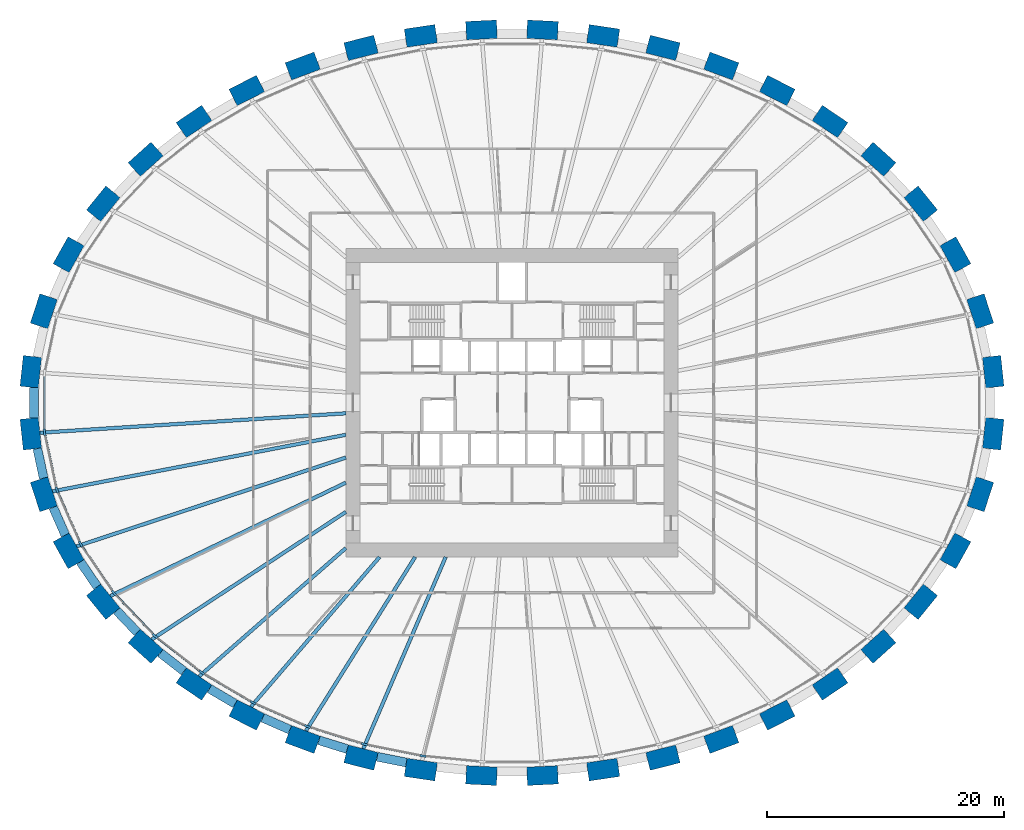
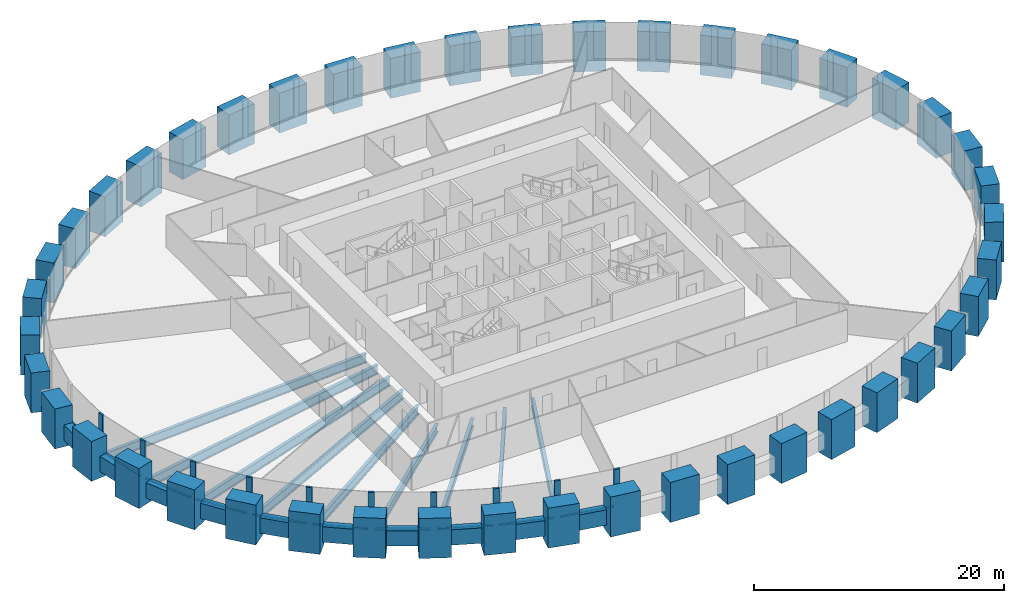
# One storey, part 1 of 11: 44 columns, 20 members, 19 beams, 1 element without a shape of its own.
"""IFC4 building model written with IfcOpenShell, lengths in metres."""

from ifc_helpers import new_model, si_unit, direction, frame, origin, origin_2d, place, context, subcontext, project, spatial, rectangle, i_section, extrude, source, transform, mapped, material, material_profile, profile_set, type_object, element, aggregate, save


model = new_model("IFC4")

# Units and contexts
model_context = context("Model", 3, precision=1e-05, world=origin(), true_north=direction((0.0, 1.0)))
body_context = subcontext(model_context, "Body", "Model", "MODEL_VIEW")
ifc_project = project(units=[si_unit("LENGTHUNIT", "METRE"), si_unit("AREAUNIT", "SQUARE_METRE"), si_unit("VOLUMEUNIT", "CUBIC_METRE"), si_unit("PLANEANGLEUNIT", "RADIAN"), si_unit("MASSUNIT", "GRAM", prefix="KILO")], contexts=[model_context])

# Site, building, storey
site_placement = place(None, origin())
site = spatial("IfcSite", under=ifc_project, at=site_placement, CompositionType="ELEMENT")
building_placement = place(site_placement, origin())
building = spatial("IfcBuilding", under=site, at=building_placement, Name="Embergate Tower", CompositionType="ELEMENT")
storey_placement = place(building_placement, frame((0.0, 0.0, 58.10009765625)))
storey = spatial("IfcBuildingStorey", under=building, at=storey_placement, Name="L10", CompositionType="ELEMENT", Elevation=58.10009765625)

# Columns
ifc_material_1 = material(Name="Concrete C70", Category="concrete")
ifc_material_profile_1 = material_profile(ifc_material_1, rectangle(XDim=1.550048828125, YDim=2.60009765625, at=origin_2d()), Name="RC 1550x2600")
ifc_profile_set_1 = profile_set([ifc_material_profile_1], Name="Concrete C70")
column_type = type_object("IfcColumnType", Name="Ring column RC 1550x2600 C70", PredefinedType="COLUMN", material=ifc_profile_set_1)
shared_shape_1 = source(origin(), body_context, "Body", "SweptSolid", [
    extrude(rectangle(XDim=1.550048828125, YDim=2.60009765625, at=origin_2d()), origin(), (0.0, 0.0, 1.0), 3.900146484375),
])
for number, where, z_axis, x_axis, name in (
    (1, (40.552001953125, 2.610107421875, -1.400146484375), (0.0, 0.0, 1.0), (0.99428589498, 0.106749983816, 0.0), "COL-L10-00"),
    (2, (39.455078125, 7.708984375, -1.400146484375), (0.0, 0.0, 1.0), (0.950754033697, 0.309946394413, 0.0), "COL-L10-01"),
    (3, (37.364013671875, 12.47705078125, -1.400146484375), (0.0, 0.0, 1.0), (0.873500465855, 0.486823311018, 0.0), "COL-L10-02"),
    (4, (34.445068359375, 16.77001953125, -1.400146484375), (0.0, 0.0, 1.0), (0.775925311702, 0.630824786022, 0.0), "COL-L10-03"),
    (5, (30.87109375, 20.51806640625, -1.400146484375), (0.0, 0.0, 1.0), (0.669221393633, 0.743063070206, 0.0), "COL-L10-04"),
    (6, (26.798095703125, 23.697998046875, -1.400146484375), (0.0, 0.0, 1.0), (0.560407734638, 0.828216862275, 0.0), "COL-L10-05"),
    (7, (22.35205078125, 26.31201171875, -1.400146484375), (0.0, 0.0, 1.0), (0.453010512651, 0.891505174089, 0.0), "COL-L10-06"),
    (8, (17.634033203125, 28.375, -1.400146484375), (0.0, 0.0, 1.0), (0.348343015724, 0.93736713373, 0.0), "COL-L10-07"),
    (9, (12.721923828125, 29.905029296875, -1.400146484375), (0.0, 0.0, 1.0), (0.24650851817, 0.969140624713, 0.0), "COL-L10-08"),
    (10, (7.681884765625, 30.916015625, -1.400146484375), (0.0, 0.0, 1.0), (0.146929011949, 0.989147039346, 0.0), "COL-L10-09"),
    (11, (2.569091796875, 31.41796875, -1.400146484375), (0.0, 0.0, 1.0), (0.048814904854, 0.998807841912, 0.0), "COL-L10-10"),
    (12, (-2.569091796875, 31.41796875, -1.400146484375), (0.0, 0.0, 1.0), (-0.048814904854, 0.998807841912, 0.0), "COL-L10-11"),
    (13, (-7.681884765625, 30.916015625, -1.400146484375), (0.0, 0.0, 1.0), (-0.146929011949, 0.989147039346, 0.0), "COL-L10-12"),
    (14, (-12.721923828125, 29.905029296875, -1.400146484375), (0.0, 0.0, 1.0), (-0.24650851817, 0.969140624713, 0.0), "COL-L10-13"),
    (15, (-17.634033203125, 28.375, -1.400146484375), (0.0, 0.0, 1.0), (-0.348343015724, 0.93736713373, 0.0), "COL-L10-14"),
    (16, (-22.35205078125, 26.31201171875, -1.400146484375), (0.0, 0.0, 1.0), (-0.453010512651, 0.891505174089, 0.0), "COL-L10-15"),
    (17, (-26.798095703125, 23.697998046875, -1.400146484375), (0.0, 0.0, 1.0), (-0.560407734638, 0.828216862275, 0.0), "COL-L10-16"),
    (18, (-30.87109375, 20.51806640625, -1.400146484375), (0.0, 0.0, 1.0), (-0.669221393633, 0.743063070206, 0.0), "COL-L10-17"),
    (19, (-34.445068359375, 16.77001953125, -1.400146484375), (0.0, 0.0, 1.0), (-0.775925311702, 0.630824786022, 0.0), "COL-L10-18"),
    (20, (-37.364013671875, 12.47705078125, -1.400146484375), (0.0, 0.0, 1.0), (-0.873500465855, 0.486823311018, 0.0), "COL-L10-19"),
    (21, (-39.455078125, 7.708984375, -1.400146484375), (0.0, 0.0, 1.0), (-0.950754033697, 0.309946394413, 0.0), "COL-L10-20"),
    (22, (-40.552001953125, 2.610107421875, -1.400146484375), (0.0, 0.0, 1.0), (-0.99428589498, 0.106749983816, 0.0), "COL-L10-21"),
    (23, (-40.552001953125, -2.610107421875, -1.400146484375), (0.0, 0.0, 1.0), (-0.99428589498, -0.106749983816, 0.0), "COL-L10-22"),
    (24, (-39.455078125, -7.708984375, -1.400146484375), (0.0, 0.0, 1.0), (-0.950754033697, -0.309946394413, 0.0), "COL-L10-23"),
    (25, (-37.364013671875, -12.47705078125, -1.400146484375), (0.0, 0.0, 1.0), (-0.873500465855, -0.486823311018, 0.0), "COL-L10-24"),
    (26, (-34.445068359375, -16.77001953125, -1.400146484375), (0.0, 0.0, 1.0), (-0.775925311702, -0.630824786022, 0.0), "COL-L10-25"),
    (27, (-30.87109375, -20.51806640625, -1.400146484375), (0.0, 0.0, 1.0), (-0.669221393633, -0.743063070206, 0.0), "COL-L10-26"),
    (28, (-26.798095703125, -23.697998046875, -1.400146484375), (0.0, 0.0, 1.0), (-0.560407734638, -0.828216862275, 0.0), "COL-L10-27"),
    (29, (-22.35205078125, -26.31201171875, -1.400146484375), (0.0, 0.0, 1.0), (-0.453010512651, -0.891505174089, 0.0), "COL-L10-28"),
    (30, (-17.634033203125, -28.375, -1.400146484375), (0.0, 0.0, 1.0), (-0.348343015724, -0.93736713373, 0.0), "COL-L10-29"),
    (31, (-12.721923828125, -29.905029296875, -1.400146484375), (0.0, 0.0, 1.0), (-0.24650851817, -0.969140624713, 0.0), "COL-L10-30"),
    (32, (-7.681884765625, -30.916015625, -1.400146484375), (0.0, 0.0, 1.0), (-0.146929011949, -0.989147039346, 0.0), "COL-L10-31"),
    (33, (-2.569091796875, -31.41796875, -1.400146484375), (0.0, 0.0, 1.0), (-0.048814904854, -0.998807841912, 0.0), "COL-L10-32"),
    (34, (2.569091796875, -31.41796875, -1.400146484375), (0.0, 0.0, 1.0), (0.048814904854, -0.998807841912, 0.0), "COL-L10-33"),
    (35, (7.681884765625, -30.916015625, -1.400146484375), (0.0, 0.0, 1.0), (0.146929011949, -0.989147039346, 0.0), "COL-L10-34"),
    (36, (12.721923828125, -29.905029296875, -1.400146484375), (0.0, 0.0, 1.0), (0.24650851817, -0.969140624713, 0.0), "COL-L10-35"),
    (37, (17.634033203125, -28.375, -1.400146484375), (0.0, 0.0, 1.0), (0.348343015724, -0.93736713373, 0.0), "COL-L10-36"),
    (38, (22.35205078125, -26.31201171875, -1.400146484375), (0.0, 0.0, 1.0), (0.453010512651, -0.891505174089, 0.0), "COL-L10-37"),
    (39, (26.798095703125, -23.697998046875, -1.400146484375), (0.0, 0.0, 1.0), (0.560407734638, -0.828216862275, 0.0), "COL-L10-38"),
    (40, (30.87109375, -20.51806640625, -1.400146484375), (0.0, 0.0, 1.0), (0.669221393633, -0.743063070206, 0.0), "COL-L10-39"),
    (41, (34.445068359375, -16.77001953125, -1.400146484375), (0.0, 0.0, 1.0), (0.775925311702, -0.630824786022, 0.0), "COL-L10-40"),
    (42, (37.364013671875, -12.47705078125, -1.400146484375), (0.0, 0.0, 1.0), (0.873500465855, -0.486823311018, 0.0), "COL-L10-41"),
    (43, (39.455078125, -7.708984375, -1.400146484375), (0.0, 0.0, 1.0), (0.950754033697, -0.309946394413, 0.0), "COL-L10-42"),
    (44, (40.552001953125, -2.610107421875, -1.400146484375), (0.0, 0.0, 1.0), (0.99428589498, -0.106749983816, 0.0), "COL-L10-43"),
):
    element("IfcColumn", number, at=place(storey_placement, frame(where, z_axis=z_axis, x_axis=x_axis)), inside=storey, type_object=column_type, Name=name, PredefinedType="COLUMN", context=body_context, shape_type="MappedRepresentation", body=[
        mapped(shared_shape_1, transform((0.0, 0.0, 0.0))),
    ])

# Beams
ifc_material_profile_2 = material_profile(ifc_material_1, rectangle(XDim=0.75, YDim=1.5, at=origin_2d()), Name="RC 750x1500")
ifc_profile_set_2 = profile_set([ifc_material_profile_2], Name="Concrete C70")
beam_type_1 = type_object("IfcBeamType", Name="Spandrel beam RC 750x1500 C70", PredefinedType="BEAM", material=ifc_profile_set_2)
shared_shape_2 = source(origin(), body_context, "Body", "SweptSolid", [
    extrude(rectangle(XDim=0.75, YDim=1.5, at=origin_2d()), origin(), (0.0, 0.0, 1.0), 2.5439453125),
])
beam_1_placement = place(storey_placement, frame((-40.0009765625, -3.85791015625, 0.0), z_axis=(0.210269633901, -0.977643432474, 0.0), x_axis=(0.977643432474, 0.210269633901, 0.0)))
element("IfcBeam", 45, at=beam_1_placement, inside=storey, type_object=beam_type_1, Name="SPN-L10-22", PredefinedType="BEAM", context=body_context, shape_type="MappedRepresentation", body=[
    mapped(shared_shape_2, transform((0.0, 0.0, 0.0))),
])
shared_shape_3 = source(origin(), body_context, "Body", "SweptSolid", [
    extrude(rectangle(XDim=0.75, YDim=1.5, at=origin_2d()), origin(), (0.0, 0.0, 1.0), 2.540771484375),
])
beam_2_placement = place(storey_placement, frame((-38.666015625, -8.819091796875, 0.0), z_axis=(0.401479097778, -0.915868185956, 0.0), x_axis=(0.915868185956, 0.401479097778, 0.0)))
element("IfcBeam", 46, at=beam_2_placement, inside=storey, type_object=beam_type_1, Name="SPN-L10-23", PredefinedType="BEAM", context=body_context, shape_type="MappedRepresentation", body=[
    mapped(shared_shape_3, transform((0.0, 0.0, 0.0))),
])
shared_shape_4 = source(origin(), body_context, "Body", "SweptSolid", [
    extrude(rectangle(XDim=0.75, YDim=1.5, at=origin_2d()), origin(), (0.0, 0.0, 1.0), 2.5302734375),
])
beam_3_placement = place(storey_placement, frame((-36.3701171875, -13.410888671875, 0.0), z_axis=(0.562447254988, -0.82683316658, 0.0), x_axis=(0.82683316658, 0.562447254988, 0.0)))
element("IfcBeam", 47, at=beam_3_placement, inside=storey, type_object=beam_type_1, Name="SPN-L10-24", PredefinedType="BEAM", context=body_context, shape_type="MappedRepresentation", body=[
    mapped(shared_shape_4, transform((0.0, 0.0, 0.0))),
])
shared_shape_5 = source(origin(), body_context, "Body", "SweptSolid", [
    extrude(rectangle(XDim=0.75, YDim=1.5, at=origin_2d()), origin(), (0.0, 0.0, 1.0), 2.525146484375),
])
beam_4_placement = place(storey_placement, frame((-33.31298828125, -17.52490234375, 0.0), z_axis=(0.689836216716, -0.723965464719, 0.0), x_axis=(0.723965464719, 0.689836216716, 0.0)))
element("IfcBeam", 48, at=beam_4_placement, inside=storey, type_object=beam_type_1, Name="SPN-L10-25", PredefinedType="BEAM", context=body_context, shape_type="MappedRepresentation", body=[
    mapped(shared_shape_5, transform((0.0, 0.0, 0.0))),
])
shared_shape_6 = source(origin(), body_context, "Body", "SweptSolid", [
    extrude(rectangle(XDim=0.75, YDim=1.5, at=origin_2d()), origin(), (0.0, 0.0, 1.0), 2.51708984375),
])
beam_5_placement = place(storey_placement, frame((-29.6298828125, -21.0830078125, 0.0), z_axis=(0.788186103863, -0.615436971328, 0.0), x_axis=(0.615436971328, 0.788186103863, 0.0)))
element("IfcBeam", 49, at=beam_5_placement, inside=storey, type_object=beam_type_1, Name="SPN-L10-26", PredefinedType="BEAM", context=body_context, shape_type="MappedRepresentation", body=[
    mapped(shared_shape_6, transform((0.0, 0.0, 0.0))),
])
shared_shape_7 = source(origin(), body_context, "Body", "SweptSolid", [
    extrude(rectangle(XDim=0.75, YDim=1.5, at=origin_2d()), origin(), (0.0, 0.0, 1.0), 2.512451171875),
])
beam_6_placement = place(storey_placement, frame((-25.49609375, -24.093994140625, 0.0), z_axis=(0.862138987282, -0.506671852986, 0.0), x_axis=(0.506671852986, 0.862138987282, 0.0)))
element("IfcBeam", 50, at=beam_6_placement, inside=storey, type_object=beam_type_1, Name="SPN-L10-27", PredefinedType="BEAM", context=body_context, shape_type="MappedRepresentation", body=[
    mapped(shared_shape_7, transform((0.0, 0.0, 0.0))),
])
shared_shape_8 = source(origin(), body_context, "Body", "SweptSolid", [
    extrude(rectangle(XDim=0.75, YDim=1.5, at=origin_2d()), origin(), (0.0, 0.0, 1.0), 2.508056640625),
])
beam_7_placement = place(storey_placement, frame((-21.013916015625, -26.549072265625, 0.0), z_axis=(0.916219880472, -0.400675842331, 0.0), x_axis=(0.400675842331, 0.916219880472, 0.0)))
element("IfcBeam", 51, at=beam_7_placement, inside=storey, type_object=beam_type_1, Name="SPN-L10-28", PredefinedType="BEAM", context=body_context, shape_type="MappedRepresentation", body=[
    mapped(shared_shape_8, transform((0.0, 0.0, 0.0))),
])
shared_shape_9 = source(origin(), body_context, "Body", "SweptSolid", [
    extrude(rectangle(XDim=0.75, YDim=1.5, at=origin_2d()), origin(), (0.0, 0.0, 1.0), 2.505126953125),
])
beam_8_placement = place(storey_placement, frame((-16.27294921875, -28.444091796875, 0.0), z_axis=(0.95477257779, -0.297337055715, 0.0), x_axis=(0.297337055715, 0.95477257779, 0.0)))
element("IfcBeam", 52, at=beam_8_placement, inside=storey, type_object=beam_type_1, Name="SPN-L10-29", PredefinedType="BEAM", context=body_context, shape_type="MappedRepresentation", body=[
    mapped(shared_shape_9, transform((0.0, 0.0, 0.0))),
])
shared_shape_10 = source(origin(), body_context, "Body", "SweptSolid", [
    extrude(rectangle(XDim=0.75, YDim=1.5, at=origin_2d()), origin(), (0.0, 0.0, 1.0), 2.5029296875),
])
beam_9_placement = place(storey_placement, frame((-11.362060546875, -29.83203125, 0.0), z_axis=(0.980494293439, -0.196547552853, 0.0), x_axis=(0.196547552853, 0.980494293439, 0.0)))
element("IfcBeam", 53, at=beam_9_placement, inside=storey, type_object=beam_type_1, Name="SPN-L10-30", PredefinedType="BEAM", context=body_context, shape_type="MappedRepresentation", body=[
    mapped(shared_shape_10, transform((0.0, 0.0, 0.0))),
])
shared_shape_11 = source(origin(), body_context, "Body", "SweptSolid", [
    extrude(rectangle(XDim=0.75, YDim=1.5, at=origin_2d()), origin(), (0.0, 0.0, 1.0), 2.5498046875),
])
beam_10_placement = place(storey_placement, frame((-40.2958984375, 1.27490234375, 0.0), z_axis=(0.0, -1.0, 0.0), x_axis=(1.0, 0.0, 0.0)))
element("IfcBeam", 54, at=beam_10_placement, inside=storey, type_object=beam_type_1, Name="SPN-L10-21", PredefinedType="BEAM", context=body_context, shape_type="MappedRepresentation", body=[
    mapped(shared_shape_11, transform((0.0, 0.0, 0.0))),
])
ifc_material_2 = material(Name="Steel Q355B", Category="steel")
ifc_material_profile_3 = material_profile(ifc_material_2, i_section(OverallWidth=0.300048828125, OverallDepth=0.89990234375, WebThickness=0.01611328125, FlangeThickness=0.028076171875, FilletRadius=0.028076171875, at=origin_2d()), Name="HN 900x300x16x28")
ifc_profile_set_3 = profile_set([ifc_material_profile_3], Name="Steel Q355 grade B")
beam_type_2 = type_object("IfcBeamType", Name="Radial girder HN 900x300x16x28", PredefinedType="BEAM", material=ifc_profile_set_3)
shared_shape_12 = source(origin(), body_context, "Body", "SweptSolid", [
    extrude(i_section(OverallWidth=0.300048828125, OverallDepth=0.89990234375, WebThickness=0.01611328125, FlangeThickness=0.028076171875, FilletRadius=0.028076171875, at=origin_2d()), origin(), (0.0, 0.0, 1.0), 25.8330078125),
])
beam_11_placement = place(storey_placement, frame((-39.781005859375, -2.527099609375, -0.650146484375), z_axis=(0.997987282957, 0.063414375786, 0.0), x_axis=(-0.063414375786, 0.997987282957, 0.0)))
element("IfcBeam", 55, at=beam_11_placement, inside=storey, type_object=beam_type_2, Name="GIR-L10-22", PredefinedType="BEAM", context=body_context, shape_type="MappedRepresentation", body=[
    mapped(shared_shape_12, transform((0.0, 0.0, 0.0))),
])
shared_shape_13 = source(origin(), body_context, "Body", "SweptSolid", [
    extrude(i_section(OverallWidth=0.300048828125, OverallDepth=0.89990234375, WebThickness=0.01611328125, FlangeThickness=0.028076171875, FilletRadius=0.028076171875, at=origin_2d()), origin(), (0.0, 0.0, 1.0), 25.173583984375),
])
beam_12_placement = place(storey_placement, frame((-38.718017578125, -7.468994140625, -0.650146484375), z_axis=(0.981898721565, 0.189406706822, 0.0), x_axis=(-0.189406706822, 0.981898721565, 0.0)))
element("IfcBeam", 56, at=beam_12_placement, inside=storey, type_object=beam_type_2, Name="GIR-L10-23", PredefinedType="BEAM", context=body_context, shape_type="MappedRepresentation", body=[
    mapped(shared_shape_13, transform((0.0, 0.0, 0.0))),
])
shared_shape_14 = source(origin(), body_context, "Body", "SweptSolid", [
    extrude(i_section(OverallWidth=0.300048828125, OverallDepth=0.89990234375, WebThickness=0.01611328125, FlangeThickness=0.028076171875, FilletRadius=0.028076171875, at=origin_2d()), origin(), (0.0, 0.0, 1.0), 23.889404296875),
])
beam_13_placement = place(storey_placement, frame((-36.68701171875, -12.10009765625, -0.650146484375), z_axis=(0.949672981662, 0.313243081171, 0.0), x_axis=(-0.313243081171, 0.949672981662, 0.0)))
element("IfcBeam", 57, at=beam_13_placement, inside=storey, type_object=beam_type_2, Name="GIR-L10-24", PredefinedType="BEAM", context=body_context, shape_type="MappedRepresentation", body=[
    mapped(shared_shape_14, transform((0.0, 0.0, 0.0))),
])
shared_shape_15 = source(origin(), body_context, "Body", "SweptSolid", [
    extrude(i_section(OverallWidth=0.300048828125, OverallDepth=0.89990234375, WebThickness=0.01611328125, FlangeThickness=0.028076171875, FilletRadius=0.028076171875, at=origin_2d()), origin(), (0.0, 0.0, 1.0), 22.020751953125),
])
beam_14_placement = place(storey_placement, frame((-33.843994140625, -16.281005859375, -0.650146484375), z_axis=(0.90115457104, 0.433497911291, 0.0), x_axis=(-0.433497911291, 0.90115457104, 0.0)))
element("IfcBeam", 58, at=beam_14_placement, inside=storey, type_object=beam_type_2, Name="GIR-L10-25", PredefinedType="BEAM", context=body_context, shape_type="MappedRepresentation", body=[
    mapped(shared_shape_15, transform((0.0, 0.0, 0.0))),
])
shared_shape_16 = source(origin(), body_context, "Body", "SweptSolid", [
    extrude(i_section(OverallWidth=0.300048828125, OverallDepth=0.89990234375, WebThickness=0.01611328125, FlangeThickness=0.028076171875, FilletRadius=0.028076171875, at=origin_2d()), origin(), (0.0, 0.0, 1.0), 19.56591796875),
])
beam_15_placement = place(storey_placement, frame((-30.35205078125, -19.94189453125, -0.650146484375), z_axis=(0.835746219167, 0.549115886812, 0.0), x_axis=(-0.549115886812, 0.835746219167, 0.0)))
element("IfcBeam", 59, at=beam_15_placement, inside=storey, type_object=beam_type_2, Name="GIR-L10-26", PredefinedType="BEAM", context=body_context, shape_type="MappedRepresentation", body=[
    mapped(shared_shape_16, transform((0.0, 0.0, 0.0))),
])
ifc_material_profile_4 = material_profile(ifc_material_2, i_section(OverallWidth=0.300048828125, OverallDepth=0.800048828125, WebThickness=0.013916015625, FlangeThickness=0.02587890625, FilletRadius=0.028076171875, at=origin_2d()), Name="HN 800x300x14x26")
ifc_profile_set_4 = profile_set([ifc_material_profile_4], Name="Steel Q355 grade B")
beam_type_3 = type_object("IfcBeamType", Name="Radial girder HN 800x300x14x26", PredefinedType="BEAM", material=ifc_profile_set_4)
shared_shape_17 = source(origin(), body_context, "Body", "SweptSolid", [
    extrude(i_section(OverallWidth=0.300048828125, OverallDepth=0.800048828125, WebThickness=0.013916015625, FlangeThickness=0.02587890625, FilletRadius=0.028076171875, at=origin_2d()), origin(), (0.0, 0.0, 1.0), 16.424560546875),
])
beam_16_placement = place(storey_placement, frame((-26.364013671875, -23.055908203125, -0.60009765625), z_axis=(0.752772791173, 0.658280430265, 0.0), x_axis=(-0.658280430265, 0.752772791173, 0.0)))
element("IfcBeam", 60, at=beam_16_placement, inside=storey, type_object=beam_type_3, Name="GIR-L10-27", PredefinedType="BEAM", context=body_context, shape_type="MappedRepresentation", body=[
    mapped(shared_shape_17, transform((0.0, 0.0, 0.0))),
])
shared_shape_18 = source(origin(), body_context, "Body", "SweptSolid", [
    extrude(i_section(OverallWidth=0.300048828125, OverallDepth=0.800048828125, WebThickness=0.013916015625, FlangeThickness=0.02587890625, FilletRadius=0.028076171875, at=origin_2d()), origin(), (0.0, 0.0, 1.0), 16.6357421875),
])
beam_17_placement = place(storey_placement, frame((-22.0009765625, -25.62109375, -0.60009765625), z_axis=(0.651477578484, 0.758667888297, 0.0), x_axis=(-0.758667888297, 0.651477578484, 0.0)))
element("IfcBeam", 61, at=beam_17_placement, inside=storey, type_object=beam_type_3, Name="GIR-L10-28", PredefinedType="BEAM", context=body_context, shape_type="MappedRepresentation", body=[
    mapped(shared_shape_18, transform((0.0, 0.0, 0.0))),
])
shared_shape_19 = source(origin(), body_context, "Body", "SweptSolid", [
    extrude(i_section(OverallWidth=0.300048828125, OverallDepth=0.800048828125, WebThickness=0.013916015625, FlangeThickness=0.02587890625, FilletRadius=0.028076171875, at=origin_2d()), origin(), (0.0, 0.0, 1.0), 17.29833984375),
])
beam_18_placement = place(storey_placement, frame((-17.364013671875, -27.64892578125, -0.60009765625), z_axis=(0.53184228431, 0.84684342391, 0.0), x_axis=(-0.84684342391, 0.53184228431, 0.0)))
element("IfcBeam", 62, at=beam_18_placement, inside=storey, type_object=beam_type_3, Name="GIR-L10-29", PredefinedType="BEAM", context=body_context, shape_type="MappedRepresentation", body=[
    mapped(shared_shape_19, transform((0.0, 0.0, 0.0))),
])
shared_shape_20 = source(origin(), body_context, "Body", "SweptSolid", [
    extrude(i_section(OverallWidth=0.300048828125, OverallDepth=0.800048828125, WebThickness=0.013916015625, FlangeThickness=0.02587890625, FilletRadius=0.028076171875, at=origin_2d()), origin(), (0.0, 0.0, 1.0), 17.5830078125),
])
beam_19_placement = place(storey_placement, frame((-12.531005859375, -29.154052734375, -0.60009765625), z_axis=(0.394877633305, 0.91873372351, 0.0), x_axis=(-0.91873372351, 0.394877633305, 0.0)))
element("IfcBeam", 63, at=beam_19_placement, inside=storey, type_object=beam_type_3, Name="GIR-L10-30", PredefinedType="BEAM", context=body_context, shape_type="MappedRepresentation", body=[
    mapped(shared_shape_20, transform((0.0, 0.0, 0.0))),
])

# Curtain wall, members
ifc_material_3 = material(Name="Aluminium and glass", Category="aluminium")
curtain_wall_type = type_object("IfcCurtainWallType", Name="Recessed office glazing", PredefinedType="NOTDEFINED", material=ifc_material_3)
curtain_wall_placement = place(storey_placement, origin())
curtain_wall = element("IfcCurtainWall", 64, at=curtain_wall_placement, inside=storey, type_object=curtain_wall_type, Name="Recessed office glazing ring", ObjectType="RECESSED OFFICE GLAZING", PredefinedType="USERDEFINED")
ifc_material_4 = material(Name="Aluminium, thermally broken", Category="aluminium")
ifc_material_profile_5 = material_profile(ifc_material_4, rectangle(XDim=0.179931640625, YDim=0.52001953125, at=origin_2d()), Name="AL 520x180")
ifc_profile_set_5 = profile_set([ifc_material_profile_5], Name="Aluminium, thermally broken")
member_type_1 = type_object("IfcMemberType", Name="Office mullion", PredefinedType="MULLION", material=ifc_profile_set_5)
shared_shape_21 = source(origin(), body_context, "Body", "SweptSolid", [
    extrude(rectangle(XDim=0.179931640625, YDim=0.52001953125, at=origin_2d()), origin(), (0.0, 0.0, 1.0), 3.699951171875),
])
member_1_placement = place(storey_placement, frame((-39.393798828125, -2.485595703125, 0.0), z_axis=(0.0, 0.0, 1.0), x_axis=(0.994385508811, 0.105818050756, 0.0)))
member_1 = element("IfcMember", 65, at=member_1_placement, type_object=member_type_1, Name="CW mullion 23", PredefinedType="MULLION", context=body_context, shape_type="MappedRepresentation", body=[
    mapped(shared_shape_21, transform((0.0, 0.0, 0.0))),
])
member_2_placement = place(storey_placement, frame((-38.347412109375, -7.347900390625, 0.0), z_axis=(0.0, 0.0, 1.0), x_axis=(0.951502093582, 0.307642269381, 0.0)))
member_2 = element("IfcMember", 66, at=member_2_placement, type_object=member_type_1, Name="CW mullion 24", PredefinedType="MULLION", context=body_context, shape_type="MappedRepresentation", body=[
    mapped(shared_shape_21, transform((0.0, 0.0, 0.0))),
])
member_3_placement = place(storey_placement, frame((-36.3466796875, -11.909423828125, 0.0), z_axis=(0.0, 0.0, 1.0), x_axis=(0.875010345178, 0.48410422001, 0.0)))
member_3 = element("IfcMember", 67, at=member_3_placement, type_object=member_type_1, Name="CW mullion 25", PredefinedType="MULLION", context=body_context, shape_type="MappedRepresentation", body=[
    mapped(shared_shape_21, transform((0.0, 0.0, 0.0))),
])
member_4_placement = place(storey_placement, frame((-33.541015625, -16.035400390625, 0.0), z_axis=(0.0, 0.0, 1.0), x_axis=(0.777883532271, 0.628408474022, 0.0)))
member_4 = element("IfcMember", 68, at=member_4_placement, type_object=member_type_1, Name="CW mullion 26", PredefinedType="MULLION", context=body_context, shape_type="MappedRepresentation", body=[
    mapped(shared_shape_21, transform((0.0, 0.0, 0.0))),
])
member_5_placement = place(storey_placement, frame((-30.09130859375, -19.65283203125, 0.0), z_axis=(0.0, 0.0, 1.0), x_axis=(0.671239471147, 0.741240563093, 0.0)))
member_5 = element("IfcMember", 69, at=member_5_placement, type_object=member_type_1, Name="CW mullion 27", PredefinedType="MULLION", context=body_context, shape_type="MappedRepresentation", body=[
    mapped(shared_shape_21, transform((0.0, 0.0, 0.0))),
])
member_6_placement = place(storey_placement, frame((-26.14501953125, -22.73291015625, 0.0), z_axis=(0.0, 0.0, 1.0), x_axis=(0.562229165438, 0.826981478348, 0.0)))
member_6 = element("IfcMember", 70, at=member_6_placement, type_object=member_type_1, Name="CW mullion 28", PredefinedType="MULLION", context=body_context, shape_type="MappedRepresentation", body=[
    mapped(shared_shape_21, transform((0.0, 0.0, 0.0))),
])
member_7_placement = place(storey_placement, frame((-21.824462890625, -25.273193359375, 0.0), z_axis=(0.0, 0.0, 1.0), x_axis=(0.454520708319, 0.890736170653, 0.0)))
member_7 = element("IfcMember", 71, at=member_7_placement, type_object=member_type_1, Name="CW mullion 29", PredefinedType="MULLION", context=body_context, shape_type="MappedRepresentation", body=[
    mapped(shared_shape_21, transform((0.0, 0.0, 0.0))),
])
member_8_placement = place(storey_placement, frame((-17.22802734375, -27.282958984375, 0.0), z_axis=(0.0, 0.0, 1.0), x_axis=(0.349510859141, 0.936932313106, 0.0)))
member_8 = element("IfcMember", 72, at=member_8_placement, type_object=member_type_1, Name="CW mullion 30", PredefinedType="MULLION", context=body_context, shape_type="MappedRepresentation", body=[
    mapped(shared_shape_21, transform((0.0, 0.0, 0.0))),
])
member_9_placement = place(storey_placement, frame((-12.435302734375, -28.775634765625, 0.0), z_axis=(0.0, 0.0, 1.0), x_axis=(0.247318645812, 0.968934201808, 0.0)))
member_9 = element("IfcMember", 73, at=member_9_placement, type_object=member_type_1, Name="CW mullion 31", PredefinedType="MULLION", context=body_context, shape_type="MappedRepresentation", body=[
    mapped(shared_shape_21, transform((0.0, 0.0, 0.0))),
])
member_10_placement = place(storey_placement, frame((-7.51123046875, -29.76318359375, 0.0), z_axis=(0.0, 0.0, 1.0), x_axis=(0.147415835341, 0.989074603602, 0.0)))
member_10 = element("IfcMember", 74, at=member_10_placement, type_object=member_type_1, Name="CW mullion 32", PredefinedType="MULLION", context=body_context, shape_type="MappedRepresentation", body=[
    mapped(shared_shape_21, transform((0.0, 0.0, 0.0))),
])
ifc_material_profile_6 = material_profile(ifc_material_4, rectangle(XDim=0.179931640625, YDim=0.14990234375, at=origin_2d()), Name="AL 150x180")
ifc_profile_set_6 = profile_set([ifc_material_profile_6], Name="Aluminium, thermally broken")
member_type_2 = type_object("IfcMemberType", Name="Office sill transom", PredefinedType="USERDEFINED", material=ifc_profile_set_6)
shared_shape_22 = source(origin(), body_context, "Body", "SweptSolid", [
    extrude(rectangle(XDim=0.179931640625, YDim=0.14990234375, at=origin_2d()), origin(), (0.0, 0.0, 1.0), 4.45361328125),
])
member_11_placement = place(storey_placement, frame((-39.339111328125, -2.73974609375, 0.074951171875), z_axis=(0.210390045313, -0.977617526865, 0.0), x_axis=(0.977617526865, 0.210390045313, 0.0)))
member_11 = element("IfcMember", 75, at=member_11_placement, type_object=member_type_2, Name="CW transom 23.1", ObjectType="TRANSOM", PredefinedType="USERDEFINED", context=body_context, shape_type="MappedRepresentation", body=[
    mapped(shared_shape_22, transform((0.0, 0.0, 0.0))),
])
shared_shape_23 = source(origin(), body_context, "Body", "SweptSolid", [
    extrude(rectangle(XDim=0.179931640625, YDim=0.14990234375, at=origin_2d()), origin(), (0.0, 0.0, 1.0), 4.460693359375),
])
member_12_placement = place(storey_placement, frame((-38.242919921875, -7.586181640625, 0.074951171875), z_axis=(0.401613983085, -0.915809045921, 0.0), x_axis=(0.915809045921, 0.401613983085, 0.0)))
member_12 = element("IfcMember", 76, at=member_12_placement, type_object=member_type_2, Name="CW transom 24.1", ObjectType="TRANSOM", PredefinedType="USERDEFINED", context=body_context, shape_type="MappedRepresentation", body=[
    mapped(shared_shape_23, transform((0.0, 0.0, 0.0))),
])
shared_shape_24 = source(origin(), body_context, "Body", "SweptSolid", [
    extrude(rectangle(XDim=0.179931640625, YDim=0.14990234375, at=origin_2d()), origin(), (0.0, 0.0, 1.0), 4.4697265625),
])
member_13_placement = place(storey_placement, frame((-36.20068359375, -12.12451171875, 0.074951171875), z_axis=(0.562327949545, -0.826914310652, 0.0), x_axis=(0.826914310652, 0.562327949545, 0.0)))
member_13 = element("IfcMember", 77, at=member_13_placement, type_object=member_type_2, Name="CW transom 25.1", ObjectType="TRANSOM", PredefinedType="USERDEFINED", context=body_context, shape_type="MappedRepresentation", body=[
    mapped(shared_shape_24, transform((0.0, 0.0, 0.0))),
])
shared_shape_25 = source(origin(), body_context, "Body", "SweptSolid", [
    extrude(rectangle(XDim=0.179931640625, YDim=0.14990234375, at=origin_2d()), origin(), (0.0, 0.0, 1.0), 4.478515625),
])
member_14_placement = place(storey_placement, frame((-33.361572265625, -16.2236328125, 0.074951171875), z_axis=(0.690145055563, -0.723671059447, 0.0), x_axis=(0.723671059447, 0.690145055563, 0.0)))
member_14 = element("IfcMember", 78, at=member_14_placement, type_object=member_type_2, Name="CW transom 26.1", ObjectType="TRANSOM", PredefinedType="USERDEFINED", context=body_context, shape_type="MappedRepresentation", body=[
    mapped(shared_shape_25, transform((0.0, 0.0, 0.0))),
])
shared_shape_26 = source(origin(), body_context, "Body", "SweptSolid", [
    extrude(rectangle(XDim=0.179931640625, YDim=0.14990234375, at=origin_2d()), origin(), (0.0, 0.0, 1.0), 4.486083984375),
])
member_15_placement = place(storey_placement, frame((-29.886474609375, -19.812744140625, 0.074951171875), z_axis=(0.78829904423, -0.615292301972, 0.0), x_axis=(0.615292301972, 0.78829904423, 0.0)))
member_15 = element("IfcMember", 79, at=member_15_placement, type_object=member_type_2, Name="CW transom 27.1", ObjectType="TRANSOM", PredefinedType="USERDEFINED", context=body_context, shape_type="MappedRepresentation", body=[
    mapped(shared_shape_26, transform((0.0, 0.0, 0.0))),
])
shared_shape_27 = source(origin(), body_context, "Body", "SweptSolid", [
    extrude(rectangle(XDim=0.179931640625, YDim=0.14990234375, at=origin_2d()), origin(), (0.0, 0.0, 1.0), 4.491943359375),
])
member_16_placement = place(storey_placement, frame((-25.9208984375, -22.86474609375, 0.074951171875), z_axis=(0.8620529522, -0.506818219486, 0.0), x_axis=(0.506818219486, 0.8620529522, 0.0)))
member_16 = element("IfcMember", 80, at=member_16_placement, type_object=member_type_2, Name="CW transom 28.1", ObjectType="TRANSOM", PredefinedType="USERDEFINED", context=body_context, shape_type="MappedRepresentation", body=[
    mapped(shared_shape_27, transform((0.0, 0.0, 0.0))),
])
shared_shape_28 = source(origin(), body_context, "Body", "SweptSolid", [
    extrude(rectangle(XDim=0.179931640625, YDim=0.14990234375, at=origin_2d()), origin(), (0.0, 0.0, 1.0), 4.49658203125),
])
member_17_placement = place(storey_placement, frame((-21.586181640625, -25.377197265625, 0.074951171875), z_axis=(0.9162134002, -0.400690660354, 0.0), x_axis=(0.400690660354, 0.9162134002, 0.0)))
member_17 = element("IfcMember", 81, at=member_17_placement, type_object=member_type_2, Name="CW transom 29.1", ObjectType="TRANSOM", PredefinedType="USERDEFINED", context=body_context, shape_type="MappedRepresentation", body=[
    mapped(shared_shape_28, transform((0.0, 0.0, 0.0))),
])
shared_shape_29 = source(origin(), body_context, "Body", "SweptSolid", [
    extrude(rectangle(XDim=0.179931640625, YDim=0.14990234375, at=origin_2d()), origin(), (0.0, 0.0, 1.0), 4.5),
])
member_18_placement = place(storey_placement, frame((-16.97998046875, -27.3603515625, 0.074951171875), z_axis=(0.954763366225, -0.297366633156, 0.0), x_axis=(0.297366633156, 0.954763366225, 0.0)))
member_18 = element("IfcMember", 82, at=member_18_placement, type_object=member_type_2, Name="CW transom 30.1", ObjectType="TRANSOM", PredefinedType="USERDEFINED", context=body_context, shape_type="MappedRepresentation", body=[
    mapped(shared_shape_29, transform((0.0, 0.0, 0.0))),
])
shared_shape_30 = source(origin(), body_context, "Body", "SweptSolid", [
    extrude(rectangle(XDim=0.179931640625, YDim=0.14990234375, at=origin_2d()), origin(), (0.0, 0.0, 1.0), 4.502197265625),
])
member_19_placement = place(storey_placement, frame((-12.180419921875, -28.826904296875, 0.074951171875), z_axis=(0.980478345518, -0.196627093681, 0.0), x_axis=(0.196627093681, 0.980478345518, 0.0)))
member_19 = element("IfcMember", 83, at=member_19_placement, type_object=member_type_2, Name="CW transom 31.1", ObjectType="TRANSOM", PredefinedType="USERDEFINED", context=body_context, shape_type="MappedRepresentation", body=[
    mapped(shared_shape_30, transform((0.0, 0.0, 0.0))),
])
shared_shape_31 = source(origin(), body_context, "Body", "SweptSolid", [
    extrude(rectangle(XDim=0.179931640625, YDim=0.14990234375, at=origin_2d()), origin(), (0.0, 0.0, 1.0), 4.451171875),
])
member_20_placement = place(storey_placement, frame((-39.393798828125, 2.2255859375, 0.074951171875), z_axis=(0.0, -1.0, 0.0), x_axis=(1.0, 0.0, 0.0)))
member_20 = element("IfcMember", 84, at=member_20_placement, type_object=member_type_2, Name="CW transom 22.1", ObjectType="TRANSOM", PredefinedType="USERDEFINED", context=body_context, shape_type="MappedRepresentation", body=[
    mapped(shared_shape_31, transform((0.0, 0.0, 0.0))),
])
aggregate(curtain_wall, [member_1, member_2, member_3, member_4, member_5, member_6, member_7, member_8, member_9, member_10, member_20, member_11, member_12, member_13, member_14, member_15, member_16, member_17, member_18, member_19])

save(model, "model.ifc")
